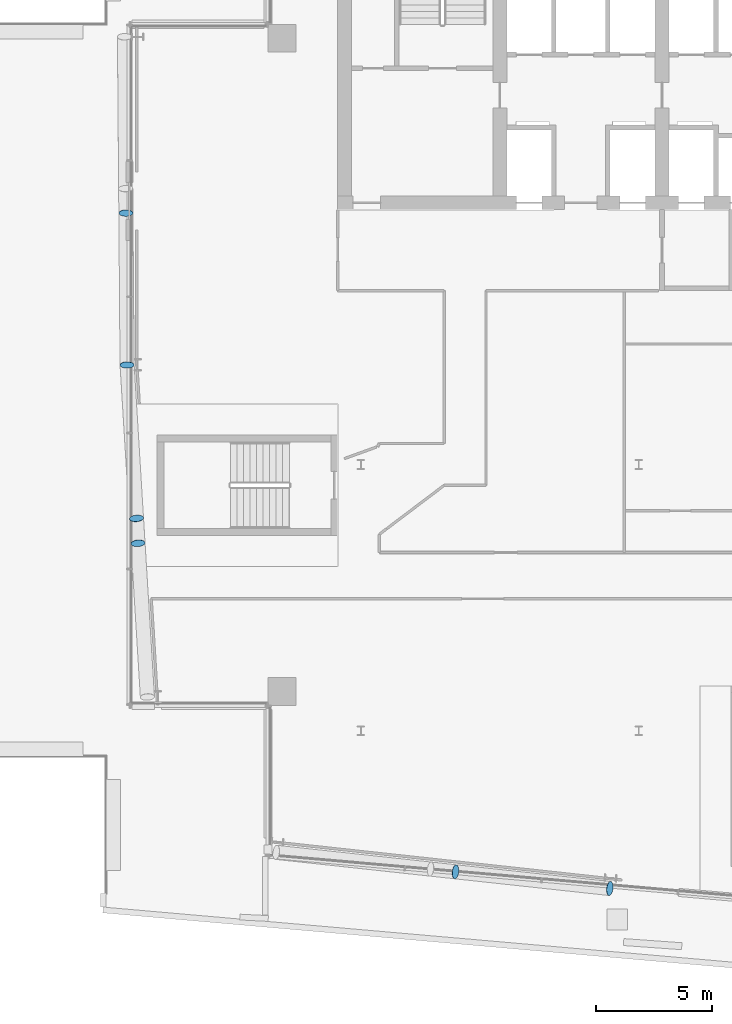
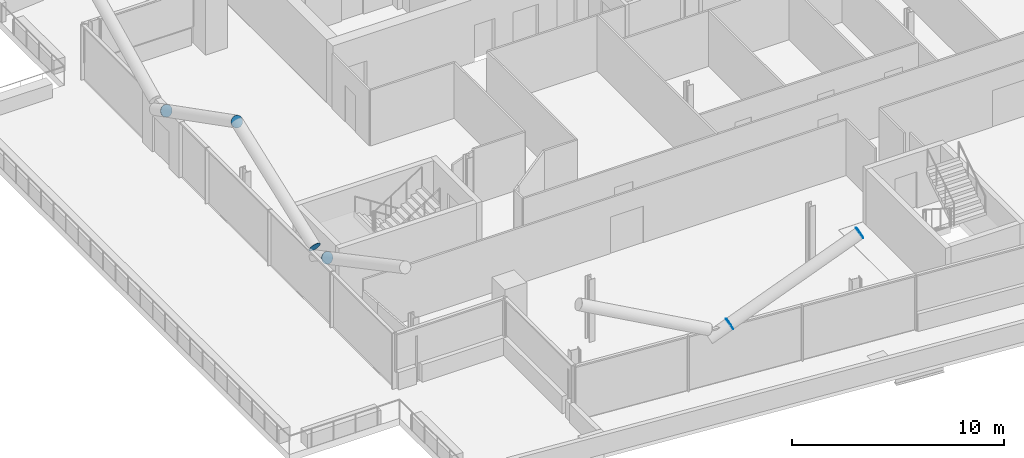
# One storey, part 20 of 27: 6 discrete accessories.
"""IFC4 building model written with IfcOpenShell, lengths in metres."""

from ifc_helpers import new_model, si_unit, direction, frame, origin, origin_2d, place, context, subcontext, project, spatial, circle, extrude, material, material_profile, profile_set, type_object, element, save


model = new_model("IFC4")

# Units and contexts
model_context = context("Model", 3, precision=1e-05, world=origin(), true_north=direction((0.0, 1.0)))
body_context = subcontext(model_context, "Body", "Model", "MODEL_VIEW")
ifc_project = project(units=[si_unit("LENGTHUNIT", "METRE"), si_unit("AREAUNIT", "SQUARE_METRE"), si_unit("VOLUMEUNIT", "CUBIC_METRE"), si_unit("PLANEANGLEUNIT", "RADIAN"), si_unit("MASSUNIT", "GRAM", prefix="KILO")], contexts=[model_context])

# Site, building, storey
site_placement = place(None, origin())
site = spatial("IfcSite", under=ifc_project, at=site_placement, CompositionType="ELEMENT")
building_placement = place(site_placement, origin())
building = spatial("IfcBuilding", under=site, at=building_placement, Name="Wharfspan Tower", CompositionType="ELEMENT")
storey_placement = place(building_placement, frame((0.0, 0.0, 207.100098)))
storey = spatial("IfcBuildingStorey", under=building, at=storey_placement, Name="L51", CompositionType="ELEMENT", Elevation=207.100098)

# Discrete accessories
ifc_material = material(Name="Steel S460NH", Category="steel")
ifc_material_profile = material_profile(ifc_material, circle(Radius=0.304932, at=origin_2d()))
ifc_profile_set = profile_set([ifc_material_profile], Name="Steel S460NH")
discrete_accessory_type = type_object("IfcDiscreteAccessoryType", Name="End plate CHS 610x25", PredefinedType="BRACKET", material=ifc_profile_set)
discrete_accessory_1_placement = place(storey_placement, frame((28.080078, 5.411865, 3.166504), z_axis=(0.890043, -0.098894, 0.445021), x_axis=(0.110431, 0.99388, 1e-06)))
element("IfcDiscreteAccessory", 1, at=discrete_accessory_1_placement, inside=storey, type_object=discrete_accessory_type, Name="End plate CHS 610x25", PredefinedType="BRACKET", context=body_context, shape_type="SweptSolid", body=[
    extrude(circle(Radius=0.304932, at=origin_2d()), origin(), (0.0, 0.0, 1.0), 0.009766),
])
discrete_accessory_2_placement = place(storey_placement, frame((34.741699, 4.689941, 6.5), z_axis=(0.895016, -0.096758, 0.435413), x_axis=(0.107482, 0.994209, -1e-06)))
element("IfcDiscreteAccessory", 2, at=discrete_accessory_2_placement, inside=storey, type_object=discrete_accessory_type, Name="End plate CHS 610x25", PredefinedType="BRACKET", context=body_context, shape_type="SweptSolid", body=[
    extrude(circle(Radius=0.304932, at=origin_2d()), origin(), (0.0, 0.0, 1.0), 0.01001),
])
discrete_accessory_3_placement = place(storey_placement, frame((13.853271, 33.85791, 3.165283), z_axis=(0.0, -0.894427, 0.447214), x_axis=(1.0, 0.0, 0.0)))
element("IfcDiscreteAccessory", 3, at=discrete_accessory_3_placement, inside=storey, type_object=discrete_accessory_type, Name="End plate CHS 610x25", PredefinedType="BRACKET", context=body_context, shape_type="SweptSolid", body=[
    extrude(circle(Radius=0.304932, at=origin_2d()), origin(), (0.0, 0.0, 1.0), 0.009766),
])
discrete_accessory_4_placement = place(storey_placement, frame((13.905029, 27.300049, 6.5), z_axis=(0.0, -0.899235, 0.437466), x_axis=(1.0, 0.0, 0.0)))
element("IfcDiscreteAccessory", 4, at=discrete_accessory_4_placement, inside=storey, type_object=discrete_accessory_type, Name="End plate CHS 610x25", PredefinedType="BRACKET", context=body_context, shape_type="SweptSolid", body=[
    extrude(circle(Radius=0.304932, at=origin_2d()), origin(), (0.0, 0.0, 1.0), 0.01001),
])
for number, where, z_axis, x_axis, name in (
    (5, (14.376221, 19.601807, 3.166016), (0.07194, -0.887262, 0.455621), (0.996733, 0.080816, 0.0), "End plate CHS 610x25"),
    (6, (14.311523, 20.661621, 3.166016), (-0.07194, 0.887262, 0.455621), (-0.996733, -0.080816, 0.0), "End plate CHS 610x25"),
):
    element("IfcDiscreteAccessory", number, at=place(storey_placement, frame(where, z_axis=z_axis, x_axis=x_axis)), inside=storey, type_object=discrete_accessory_type, Name=name, PredefinedType="BRACKET", context=body_context, shape_type="SweptSolid", body=[
        extrude(circle(Radius=0.304932, at=origin_2d()), origin(), (0.0, 0.0, 1.0), 0.010254),
    ])

save(model, "model.ifc")
